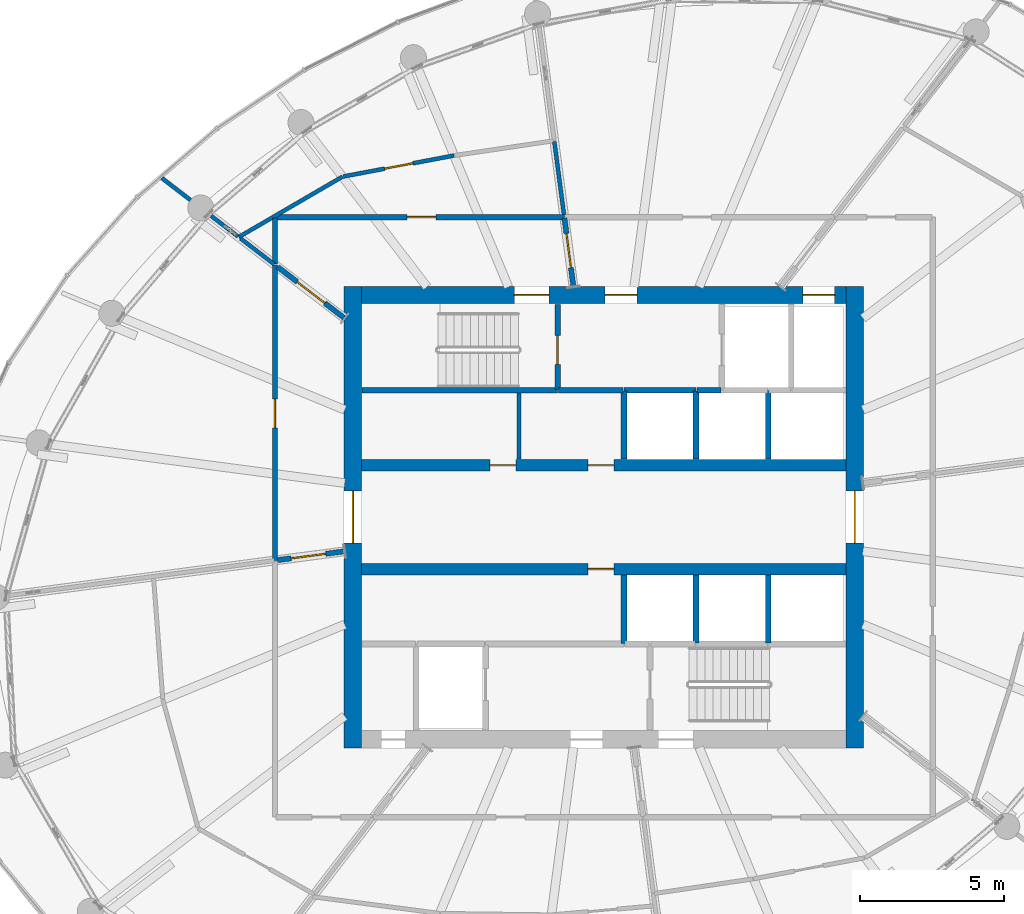
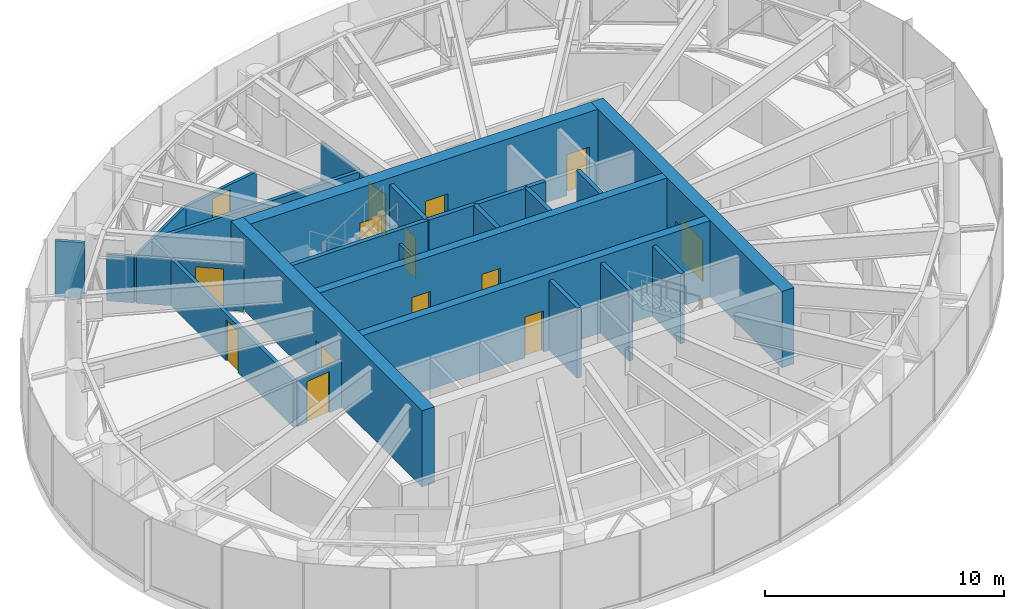
# One storey, part 17 of 26: 29 walls, 15 doors, 15 openings.
"""IFC4 building model written with IfcOpenShell, lengths in metres."""

import ifcopenshell
import ifcopenshell.guid

model = None  # the IFC model being written
_history = None  # IfcOwnerHistory: only IFC2X3 demands one
_inside = {}  # id of a spatial element -> (the spatial element, [elements in it])
_under = {}  # id of a project, library or spatial element -> (it, [spatial elements below it])
_declared = {}  # id of a project -> (the project, [libraries it declares])
_typed = {}  # id of a type object -> (the type object, [elements of that type])
_made_of = {}  # id of a material, layer set ... -> (it, [elements and type objects made of it])


def new_model(schema):
    """Start an empty IFC model of exactly this schema.

    Asked for "IFC4X3", IfcOpenShell would pick the latest addendum, in which some entities
    have other attributes; the version numbers below select the first issue.
    IFC2X3 requires an IfcOwnerHistory on every rooted entity: one is made here for all.
    """
    global model, _history
    if schema == "IFC4X3":
        model = ifcopenshell.file(schema_version=(4, 3, 0, 0))
    else:
        model = ifcopenshell.file(schema=schema)
    _inside.clear()
    _under.clear()
    _declared.clear()
    _typed.clear()
    _made_of.clear()
    _history = None
    if model.schema == "IFC2X3":
        org = make("IfcOrganization", Name="unknown")
        user = make(
            "IfcPersonAndOrganization",
            ThePerson=make("IfcPerson", FamilyName="unknown"),
            TheOrganization=org,
        )
        app = make(
            "IfcApplication",
            ApplicationDeveloper=org,
            Version="unknown",
            ApplicationFullName="unknown",
            ApplicationIdentifier="unknown",
        )
        _history = make(
            "IfcOwnerHistory",
            OwningUser=user,
            OwningApplication=app,
            ChangeAction="ADDED",
            CreationDate=0,
        )
    return model


def make(cls, **values):
    """One entity of the class cls with the attributes given. An attribute that is None is left unset."""
    return model.create_entity(
        cls, **{name: value for name, value in values.items() if value is not None}
    )


def rooted(cls, **values):
    """An entity with a GlobalId (a new one), such as an element, a storey or a relation."""
    return make(cls, GlobalId=ifcopenshell.guid.new(), OwnerHistory=_history, **values)


def si_unit(unit_type, name, prefix=None):
    """IfcSIUnit, for example si_unit("LENGTHUNIT", "METRE", prefix="MILLI")."""
    return make("IfcSIUnit", UnitType=unit_type, Prefix=prefix, Name=name)


def assignment(units):
    """IfcUnitAssignment: the units of a project."""
    return None if units is None else make("IfcUnitAssignment", Units=units)


def point(xyz):
    """IfcCartesianPoint."""
    return None if xyz is None else make("IfcCartesianPoint", Coordinates=xyz)


def direction(xyz):
    """IfcDirection."""
    return None if xyz is None else make("IfcDirection", DirectionRatios=xyz)


def frame(location, z_axis=None, x_axis=None):
    """IfcAxis2Placement3D, a coordinate frame: its origin and axes. An axis left out is left unset."""
    return make(
        "IfcAxis2Placement3D",
        Location=point(location),
        Axis=direction(z_axis),
        RefDirection=direction(x_axis),
    )


def frame_2d(location, x_axis=None):
    """IfcAxis2Placement2D, a coordinate frame in the plane: its origin and x axis."""
    return make(
        "IfcAxis2Placement2D", Location=point(location), RefDirection=direction(x_axis)
    )


def origin():
    """The frame at (0, 0, 0) with its axes left unset."""
    return frame((0.0, 0.0, 0.0))


def place(relative_to, where):
    """IfcLocalPlacement: puts the frame where relative to a parent placement (None: the world)."""
    return make(
        "IfcLocalPlacement", PlacementRelTo=relative_to, RelativePlacement=where
    )


def context(
    kind, dimensions, precision=None, world=None, true_north=None, identifier=None
):
    """IfcGeometricRepresentationContext, for example the 3D "Model" context."""
    return make(
        "IfcGeometricRepresentationContext",
        ContextIdentifier=identifier,
        ContextType=kind,
        CoordinateSpaceDimension=dimensions,
        Precision=precision,
        WorldCoordinateSystem=world,
        TrueNorth=true_north,
    )


def subcontext(parent, identifier, kind, view, scale=None):
    """IfcGeometricRepresentationSubContext, for example "Body" below "Model"."""
    return make(
        "IfcGeometricRepresentationSubContext",
        ContextIdentifier=identifier,
        ContextType=kind,
        ParentContext=parent,
        TargetScale=scale,
        TargetView=view,
    )


def project(units=None, contexts=None):
    """IfcProject with its units and contexts."""
    return rooted(
        "IfcProject",
        Name="project",
        RepresentationContexts=contexts,
        UnitsInContext=assignment(units),
    )


def spatial(cls, under=None, at=None, **own):
    """A site, building, storey or space (cls), placed at a placement, below another one or the project."""
    s = rooted(cls, ObjectPlacement=at, **own)
    if under is not None:
        _under.setdefault(under.id(), (under, []))[1].append(s)
    return s


def profile(cls, at=None, kind="AREA", **sizes):
    """A parametric profile (cls). Its sizes go by their IFC names, for example OverallWidth=200.0."""
    return make(cls, ProfileType=kind, Position=at, **sizes)


def rectangle(**sizes):
    """IfcRectangleProfileDef."""
    return profile("IfcRectangleProfileDef", **sizes)


def extrude(swept, where, along, depth):
    """IfcExtrudedAreaSolid: the profile swept, set in the frame where, extruded along a direction by depth."""
    return make(
        "IfcExtrudedAreaSolid",
        SweptArea=swept,
        Position=where,
        ExtrudedDirection=direction(along),
        Depth=depth,
    )


def shape(context_of_items, identifier, shape_type, items):
    """IfcShapeRepresentation: the items that make up one representation, for example the "Body"."""
    return make(
        "IfcShapeRepresentation",
        ContextOfItems=context_of_items,
        RepresentationIdentifier=identifier,
        RepresentationType=shape_type,
        Items=items,
    )


def source(mapping_origin, context_of_items, identifier, shape_type, items):
    """IfcRepresentationMap: a shape defined once, which mapped items show again and again."""
    return make(
        "IfcRepresentationMap",
        MappingOrigin=mapping_origin,
        MappedRepresentation=shape(context_of_items, identifier, shape_type, items),
    )


def transform(
    local_origin,
    x_axis=None,
    y_axis=None,
    z_axis=None,
    scale=None,
    scale2=None,
    scale3=None,
    uniform=True,
):
    """IfcCartesianTransformationOperator3D, or its non-uniform kind. x_axis, y_axis, z_axis: its Axis1, 2, 3."""
    if uniform:
        return make(
            "IfcCartesianTransformationOperator3D",
            Axis1=direction(x_axis),
            Axis2=direction(y_axis),
            LocalOrigin=point(local_origin),
            Scale=scale,
            Axis3=direction(z_axis),
        )
    return make(
        "IfcCartesianTransformationOperator3DnonUniform",
        Axis1=direction(x_axis),
        Axis2=direction(y_axis),
        LocalOrigin=point(local_origin),
        Scale=scale,
        Axis3=direction(z_axis),
        Scale2=scale2,
        Scale3=scale3,
    )


def mapped(mapping_source, mapping_target):
    """IfcMappedItem: shows the shape of a source again, moved by a transform."""
    return make(
        "IfcMappedItem", MappingSource=mapping_source, MappingTarget=mapping_target
    )


def material(Name=None, Category=None):
    """IfcMaterial."""
    return make("IfcMaterial", Name=Name, Category=Category)


def layer(
    of_material, thickness, ventilated=None, Name=None, Category=None, Priority=None
):
    """IfcMaterialLayer: one layer of a wall or slab, of a material (None: an air gap)."""
    return make(
        "IfcMaterialLayer",
        Material=of_material,
        LayerThickness=thickness,
        IsVentilated=ventilated,
        Name=Name,
        Category=Category,
        Priority=Priority,
    )


def layer_set(layers, Name=None):
    """IfcMaterialLayerSet."""
    return make("IfcMaterialLayerSet", MaterialLayers=layers, LayerSetName=Name)


def made_of(thing, what):
    """Note that an element or type object is made of a material, layer set ...; save() writes the relation."""
    if what is not None:
        _made_of.setdefault(what.id(), (what, []))[1].append(thing)
    return thing


def type_object(cls, material=None, **own):
    """A type object (cls), such as IfcWallType, which elements share."""
    return made_of(rooted(cls, **own), material)


def element(
    cls,
    number,
    at=None,
    inside=None,
    cuts=None,
    type_object=None,
    material=None,
    context=None,
    identifier="Body",
    shape_type=None,
    held_by="IfcProductDefinitionShape",
    body=None,
    shapes=None,
    **own,
):
    """One element of the class cls, such as IfcWall. Its Tag is "e" and its number.

    at: its placement. inside: the storey or other place that contains it. cuts: it is an
    opening in that element (IfcRelVoidsElement). A single representation is given by context,
    identifier, shape_type and body (its items); several are given by shapes. held_by: the class
    of the entity that holds the representations. save() writes the other relations.
    """
    e = rooted(cls, Tag="e%d" % number, ObjectPlacement=at, **own)
    if body is not None:
        shapes = [shape(context, identifier, shape_type, body)]
    if shapes is not None:
        e.Representation = make(held_by, Representations=shapes)
    if inside is not None:
        _inside.setdefault(inside.id(), (inside, []))[1].append(e)
    if cuts is not None:
        rooted(
            "IfcRelVoidsElement", RelatingBuildingElement=cuts, RelatedOpeningElement=e
        )
    if type_object is not None:
        _typed.setdefault(type_object.id(), (type_object, []))[1].append(e)
    return made_of(e, material)


def fill(opening, filler):
    """IfcRelFillsElement: the door or window that sits in an opening."""
    return rooted(
        "IfcRelFillsElement",
        RelatingOpeningElement=opening,
        RelatedBuildingElement=filler,
    )


def aggregate(whole, parts):
    """IfcRelAggregates: a whole, such as a stair, and the parts it consists of."""
    return rooted("IfcRelAggregates", RelatingObject=whole, RelatedObjects=parts)


def save(model, path):
    """Write the relations noted so far, then the file.

    IfcRelAggregates (storeys below a building ...), IfcRelContainedInSpatialStructure (elements
    in a storey), IfcRelDefinesByType, IfcRelAssociatesMaterial and IfcRelDeclares: one each for
    every whole, place, type object, material and project.
    """
    for whole, parts in _under.values():
        aggregate(whole, parts)
    for where, things in _inside.values():
        rooted(
            "IfcRelContainedInSpatialStructure",
            RelatedElements=things,
            RelatingStructure=where,
        )
    for kind, things in _typed.values():
        rooted("IfcRelDefinesByType", RelatedObjects=things, RelatingType=kind)
    for what, things in _made_of.values():
        rooted("IfcRelAssociatesMaterial", RelatedObjects=things, RelatingMaterial=what)
    for by, libraries in _declared.values():
        rooted("IfcRelDeclares", RelatingContext=by, RelatedDefinitions=libraries)
    model.write(path)


model = new_model("IFC4")

# Units and contexts
model_context = context("Model", 3, precision=1e-05, world=origin(), true_north=direction((0.0, 1.0)))
body_context = subcontext(model_context, "Body", "Model", "MODEL_VIEW")
ifc_project = project(units=[si_unit("LENGTHUNIT", "METRE"), si_unit("AREAUNIT", "SQUARE_METRE"), si_unit("VOLUMEUNIT", "CUBIC_METRE"), si_unit("PLANEANGLEUNIT", "RADIAN"), si_unit("MASSUNIT", "GRAM", prefix="KILO")], contexts=[model_context])

# Site, building, storey
site_placement = place(None, origin())
site = spatial("IfcSite", under=ifc_project, at=site_placement, CompositionType="ELEMENT")
building_placement = place(site_placement, origin())
building = spatial("IfcBuilding", under=site, at=building_placement, Name="Spindrift Exchange Tower", CompositionType="ELEMENT")
storey_placement = place(building_placement, frame((0.0, 0.0, 230.60009765625)))
storey = spatial("IfcBuildingStorey", under=building, at=storey_placement, Name="L56", CompositionType="ELEMENT", Elevation=230.60009765625)

# Wall, opening, door
ifc_material_1 = material(Name="Concrete 50 MPa", Category="concrete")
ifc_layer_1 = layer(ifc_material_1, 0.60009765625)
ifc_layer_set_1 = layer_set([ifc_layer_1], Name="RC Core Wall 600 Concrete 50 MPa")
wall_type_1 = type_object("IfcWallType", Name="RC Core Wall 600 Concrete 50 MPa", PredefinedType="SHEAR", material=ifc_layer_set_1)
wall_1_placement = place(storey_placement, frame((60.699951171875, 40.0, 0.0), z_axis=(0.0, 0.0, 1.0), x_axis=(0.0, 1.0, 0.0)))
wall_1 = element("IfcWall", 1, at=wall_1_placement, inside=storey, type_object=wall_type_1, Name="Core wall E L56", PredefinedType="SHEAR", context=body_context, shape_type="SweptSolid", body=[
    extrude(rectangle(XDim=16.0, YDim=0.60009765625, at=frame_2d((8.0, 0.0))), origin(), (0.0, 0.0, 1.0), 3.89990234375),
])
opening_1_placement = place(wall_1_placement, frame((7.10009765625, 0.0, 0.0)))
opening_1 = element("IfcOpeningElement", 2, at=opening_1_placement, cuts=wall_1, Name="Opening L56-D2", PredefinedType="OPENING", context=body_context, shape_type="SweptSolid", body=[
    extrude(rectangle(XDim=1.800048828125, YDim=2.10009765625, at=frame_2d((0.89990234375, 1.050048828125))), frame((0.0, 0.31005859375, 0.0), z_axis=(0.0, -1.0, 0.0), x_axis=(1.0, 0.0, 0.0)), (0.0, 0.0, 1.0), 0.6201171875),
])
ifc_material_2 = material(Name="Timber-core fire door", Category="wood")
door_type_1 = type_object("IfcDoorType", Name="DR-LOBBY-1800", OperationType="NOTDEFINED", PredefinedType="DOOR", material=ifc_material_2)
shared_shape_1 = source(origin(), body_context, "Body", "SweptSolid", [
    extrude(rectangle(XDim=1.800048828125, YDim=2.10009765625, at=frame_2d((0.89990234375, 1.050048828125))), frame((0.0, 0.02490234375, 0.0), z_axis=(0.0, -1.0, 0.0), x_axis=(1.0, 0.0, 0.0)), (0.0, 0.0, 1.0), 0.050048828125),
])
door_1_placement = place(opening_1_placement, origin())
door_1 = element("IfcDoor", 3, at=door_1_placement, inside=storey, type_object=door_type_1, Name="L56 Lobby door 2", OperationType="SINGLE_SWING_LEFT", OverallHeight=2.10009765625, OverallWidth=1.800048828125, PredefinedType="DOOR", context=body_context, shape_type="MappedRepresentation", body=[
    mapped(shared_shape_1, transform((0.0, 0.0, 0.0), scale=1.0)),
])
fill(opening_1, door_1)

wall_2_placement = place(storey_placement, frame((43.300048828125, 56.0, 0.0), z_axis=(0.0, 0.0, 1.0), x_axis=(0.0, -1.0, 0.0)))
wall_2 = element("IfcWall", 4, at=wall_2_placement, inside=storey, type_object=wall_type_1, Name="Core wall W L56", PredefinedType="SHEAR", context=body_context, shape_type="SweptSolid", body=[
    extrude(rectangle(XDim=16.0, YDim=0.60009765625, at=frame_2d((8.0, 0.0))), origin(), (0.0, 0.0, 1.0), 3.89990234375),
])
opening_2_placement = place(wall_2_placement, frame((7.10009765625, 0.0, 0.0)))
opening_2 = element("IfcOpeningElement", 5, at=opening_2_placement, cuts=wall_2, Name="Opening L56-D1", PredefinedType="OPENING", context=body_context, shape_type="SweptSolid", body=[
    extrude(rectangle(XDim=1.800048828125, YDim=2.10009765625, at=frame_2d((0.89990234375, 1.050048828125))), frame((0.0, 0.31005859375, 0.0), z_axis=(0.0, -1.0, 0.0), x_axis=(1.0, 0.0, 0.0)), (0.0, 0.0, 1.0), 0.6201171875),
])
door_2_placement = place(opening_2_placement, origin())
door_2 = element("IfcDoor", 6, at=door_2_placement, inside=storey, type_object=door_type_1, Name="L56 Lobby door 1", OperationType="SINGLE_SWING_RIGHT", OverallHeight=2.10009765625, OverallWidth=1.800048828125, PredefinedType="DOOR", context=body_context, shape_type="MappedRepresentation", body=[
    mapped(shared_shape_1, transform((0.0, 0.0, 0.0), scale=1.0)),
])
fill(opening_2, door_2)

# Wall, openings, doors
wall_3_placement = place(storey_placement, frame((60.39990234375, 55.699951171875, 0.0), z_axis=(0.0, 0.0, 1.0), x_axis=(-1.0, 0.0, 0.0)))
wall_3 = element("IfcWall", 7, at=wall_3_placement, inside=storey, type_object=wall_type_1, Name="Core wall N L56", PredefinedType="SHEAR", context=body_context, shape_type="SweptSolid", body=[
    extrude(rectangle(XDim=16.7998046875, YDim=0.60009765625, at=frame_2d((8.39990234375, 0.0))), origin(), (0.0, 0.0, 1.0), 3.89990234375),
])
opening_3_placement = place(wall_3_placement, frame((0.39990234375, 0.0, 0.0)))
opening_3 = element("IfcOpeningElement", 8, at=opening_3_placement, cuts=wall_3, Name="Opening L56-D5", PredefinedType="OPENING", context=body_context, shape_type="SweptSolid", body=[
    extrude(rectangle(XDim=1.10009765625, YDim=2.10009765625, at=frame_2d((0.550048828125, 1.050048828125))), frame((0.0, 0.31005859375, 0.0), z_axis=(0.0, -1.0, 0.0), x_axis=(1.0, 0.0, 0.0)), (0.0, 0.0, 1.0), 0.6201171875),
])
opening_4_placement = place(wall_3_placement, frame((10.300048828125, 0.0, 0.0)))
opening_4 = element("IfcOpeningElement", 9, at=opening_4_placement, cuts=wall_3, Name="Opening L56-D6", PredefinedType="OPENING", context=body_context, shape_type="SweptSolid", body=[
    extrude(rectangle(XDim=1.199951171875, YDim=2.10009765625, at=frame_2d((0.60009765625, 1.050048828125))), frame((0.0, 0.31005859375, 0.0), z_axis=(0.0, -1.0, 0.0), x_axis=(1.0, 0.0, 0.0)), (0.0, 0.0, 1.0), 0.6201171875),
])
opening_5_placement = place(wall_3_placement, frame((7.25, 0.0, 0.0)))
opening_5 = element("IfcOpeningElement", 10, at=opening_5_placement, cuts=wall_3, Name="Opening L56-D8", PredefinedType="OPENING", context=body_context, shape_type="SweptSolid", body=[
    extrude(rectangle(XDim=1.10009765625, YDim=2.10009765625, at=frame_2d((0.550048828125, 1.050048828125))), frame((0.0, 0.31005859375, 0.0), z_axis=(0.0, -1.0, 0.0), x_axis=(1.0, 0.0, 0.0)), (0.0, 0.0, 1.0), 0.6201171875),
])
ifc_material_3 = material(Name="Stainless steel landing door", Category="steel")
door_type_2 = type_object("IfcDoorType", Name="DR-LANDING-1100-SL", OperationType="DOUBLE_DOOR_SLIDING", PredefinedType="USERDEFINED", material=ifc_material_3)
shared_shape_2 = source(origin(), body_context, "Body", "SweptSolid", [
    extrude(rectangle(XDim=1.10009765625, YDim=2.10009765625, at=frame_2d((0.550048828125, 1.050048828125))), frame((0.0, 0.02490234375, 0.0), z_axis=(0.0, -1.0, 0.0), x_axis=(1.0, 0.0, 0.0)), (0.0, 0.0, 1.0), 0.050048828125),
])
door_3_placement = place(opening_3_placement, origin())
door_3 = element("IfcDoor", 11, at=door_3_placement, inside=storey, type_object=door_type_2, Name="L56 Lift landing door 5", ObjectType="LANDING DOOR", OperationType="DOUBLE_DOOR_SLIDING", OverallHeight=2.10009765625, OverallWidth=1.10009765625, PredefinedType="USERDEFINED", context=body_context, shape_type="MappedRepresentation", body=[
    mapped(shared_shape_2, transform((0.0, 0.0, 0.0), scale=1.0)),
])
fill(opening_3, door_3)
ifc_material_4 = material(Name="Steel fire door", Category="steel")
door_type_3 = type_object("IfcDoorType", Name="DR-STAIR-1200", OperationType="NOTDEFINED", PredefinedType="DOOR", material=ifc_material_4)
shared_shape_3 = source(origin(), body_context, "Body", "SweptSolid", [
    extrude(rectangle(XDim=1.199951171875, YDim=2.10009765625, at=frame_2d((0.60009765625, 1.050048828125))), frame((0.0, 0.02490234375, 0.0), z_axis=(0.0, -1.0, 0.0), x_axis=(1.0, 0.0, 0.0)), (0.0, 0.0, 1.0), 0.050048828125),
])
door_4_placement = place(opening_4_placement, origin())
door_4 = element("IfcDoor", 12, at=door_4_placement, inside=storey, type_object=door_type_3, Name="L56 Stair door 6", OperationType="SINGLE_SWING_RIGHT", OverallHeight=2.10009765625, OverallWidth=1.199951171875, PredefinedType="DOOR", context=body_context, shape_type="MappedRepresentation", body=[
    mapped(shared_shape_3, transform((0.0, 0.0, 0.0), scale=1.0)),
])
fill(opening_4, door_4)
door_type_4 = type_object("IfcDoorType", Name="DR-LOBBY-1100", OperationType="NOTDEFINED", PredefinedType="DOOR", material=ifc_material_2)
shared_shape_4 = source(origin(), body_context, "Body", "SweptSolid", [
    extrude(rectangle(XDim=1.10009765625, YDim=2.10009765625, at=frame_2d((0.550048828125, 1.050048828125))), frame((0.0, 0.02490234375, 0.0), z_axis=(0.0, -1.0, 0.0), x_axis=(1.0, 0.0, 0.0)), (0.0, 0.0, 1.0), 0.050048828125),
])
door_5_placement = place(opening_5_placement, origin())
door_5 = element("IfcDoor", 13, at=door_5_placement, inside=storey, type_object=door_type_4, Name="L56 Lobby door 8", OperationType="SINGLE_SWING_RIGHT", OverallHeight=2.10009765625, OverallWidth=1.10009765625, PredefinedType="DOOR", context=body_context, shape_type="MappedRepresentation", body=[
    mapped(shared_shape_4, transform((0.0, 0.0, 0.0), scale=1.0)),
])
fill(opening_5, door_5)

ifc_layer_2 = layer(ifc_material_1, 0.39990234375)
ifc_layer_set_2 = layer_set([ifc_layer_2], Name="RC Spine Wall 400 Concrete 50 MPa")
wall_type_2 = type_object("IfcWallType", Name="RC Spine Wall 400 Concrete 50 MPa", PredefinedType="SHEAR", material=ifc_layer_set_2)
wall_4_placement = place(storey_placement, frame((43.60009765625, 49.800048828125, 0.0), z_axis=(0.0, 0.0, 1.0), x_axis=(1.0, 0.0, 0.0)))
wall_4 = element("IfcWall", 14, at=wall_4_placement, inside=storey, type_object=wall_type_2, Name="Core spine wall N L56", PredefinedType="SHEAR", context=body_context, shape_type="SweptSolid", body=[
    extrude(rectangle(XDim=16.7998046875, YDim=0.39990234375, at=frame_2d((8.39990234375, 0.0))), origin(), (0.0, 0.0, 1.0), 3.89990234375),
])
opening_6_placement = place(wall_4_placement, frame((4.449951171875, 0.0, 0.0)))
opening_6 = element("IfcOpeningElement", 15, at=opening_6_placement, cuts=wall_4, Name="Opening L56-D35", PredefinedType="OPENING", context=body_context, shape_type="SweptSolid", body=[
    extrude(rectangle(XDim=0.89990234375, YDim=2.10009765625, at=frame_2d((0.449951171875, 1.050048828125))), frame((0.0, 0.2099609375, 0.0), z_axis=(0.0, -1.0, 0.0), x_axis=(1.0, 0.0, 0.0)), (0.0, 0.0, 1.0), 0.419921875),
])
opening_7_placement = place(wall_4_placement, frame((7.85009765625, 0.0, 0.0)))
opening_7 = element("IfcOpeningElement", 16, at=opening_7_placement, cuts=wall_4, Name="Opening L56-D36", PredefinedType="OPENING", context=body_context, shape_type="SweptSolid", body=[
    extrude(rectangle(XDim=0.89990234375, YDim=2.10009765625, at=frame_2d((0.449951171875, 1.050048828125))), frame((0.0, 0.2099609375, 0.0), z_axis=(0.0, -1.0, 0.0), x_axis=(1.0, 0.0, 0.0)), (0.0, 0.0, 1.0), 0.419921875),
])
ifc_material_5 = material(Name="Steel access door", Category="steel")
door_type_5 = type_object("IfcDoorType", Name="DR-RISER-900", OperationType="NOTDEFINED", PredefinedType="DOOR", material=ifc_material_5)
shared_shape_5 = source(origin(), body_context, "Body", "SweptSolid", [
    extrude(rectangle(XDim=0.89990234375, YDim=2.10009765625, at=frame_2d((0.449951171875, 1.050048828125))), frame((0.0, 0.02490234375, 0.0), z_axis=(0.0, -1.0, 0.0), x_axis=(1.0, 0.0, 0.0)), (0.0, 0.0, 1.0), 0.050048828125),
])
door_6_placement = place(opening_6_placement, origin())
door_6 = element("IfcDoor", 17, at=door_6_placement, inside=storey, type_object=door_type_5, Name="L56 Riser door 35", OperationType="SINGLE_SWING_LEFT", OverallHeight=2.10009765625, OverallWidth=0.89990234375, PredefinedType="DOOR", context=body_context, shape_type="MappedRepresentation", body=[
    mapped(shared_shape_5, transform((0.0, 0.0, 0.0), scale=1.0)),
])
fill(opening_6, door_6)
door_7_placement = place(opening_7_placement, origin())
door_7 = element("IfcDoor", 18, at=door_7_placement, inside=storey, type_object=door_type_5, Name="L56 Riser door 36", OperationType="SINGLE_SWING_RIGHT", OverallHeight=2.10009765625, OverallWidth=0.89990234375, PredefinedType="DOOR", context=body_context, shape_type="MappedRepresentation", body=[
    mapped(shared_shape_5, transform((0.0, 0.0, 0.0), scale=1.0)),
])
fill(opening_7, door_7)

# Wall, opening, door
wall_5_placement = place(storey_placement, frame((43.60009765625, 46.199951171875, 0.0), z_axis=(0.0, 0.0, 1.0), x_axis=(1.0, 0.0, 0.0)))
wall_5 = element("IfcWall", 19, at=wall_5_placement, inside=storey, type_object=wall_type_2, Name="Core spine wall S L56", PredefinedType="SHEAR", context=body_context, shape_type="SweptSolid", body=[
    extrude(rectangle(XDim=16.7998046875, YDim=0.39990234375, at=frame_2d((8.39990234375, 0.0))), origin(), (0.0, 0.0, 1.0), 3.89990234375),
])
opening_8_placement = place(wall_5_placement, frame((7.85009765625, 0.0, 0.0)))
opening_8 = element("IfcOpeningElement", 20, at=opening_8_placement, cuts=wall_5, Name="Opening L56-D37", PredefinedType="OPENING", context=body_context, shape_type="SweptSolid", body=[
    extrude(rectangle(XDim=0.89990234375, YDim=2.10009765625, at=frame_2d((0.449951171875, 1.050048828125))), frame((0.0, 0.2099609375, 0.0), z_axis=(0.0, -1.0, 0.0), x_axis=(1.0, 0.0, 0.0)), (0.0, 0.0, 1.0), 0.419921875),
])
door_8_placement = place(opening_8_placement, origin())
door_8 = element("IfcDoor", 21, at=door_8_placement, inside=storey, type_object=door_type_5, Name="L56 Riser door 37", OperationType="SINGLE_SWING_LEFT", OverallHeight=2.10009765625, OverallWidth=0.89990234375, PredefinedType="DOOR", context=body_context, shape_type="MappedRepresentation", body=[
    mapped(shared_shape_5, transform((0.0, 0.0, 0.0), scale=1.0)),
])
fill(opening_8, door_8)

ifc_material_6 = material(Name="Fire-rated plasterboard partition", Category="gypsum")
ifc_layer_3 = layer(ifc_material_6, 0.179931640625)
ifc_layer_set_3 = layer_set([ifc_layer_3], Name="W-CORR-180-SOFFIT")
wall_type_3 = type_object("IfcWallType", Name="W-CORR-180-SOFFIT", PredefinedType="PARTITIONING", material=ifc_layer_set_3)
wall_6_placement = place(storey_placement, frame((40.68994140625, 56.678466796875, 0.0), z_axis=(0.0, 0.0, 1.0), x_axis=(0.793371480341, -0.608737787706, 0.0)))
wall_6 = element("IfcWall", 22, at=wall_6_placement, inside=storey, type_object=wall_type_3, Name="L56 Partition wall 37", PredefinedType="PARTITIONING", context=body_context, shape_type="SweptSolid", body=[
    extrude(rectangle(XDim=2.91162109375, YDim=0.179931640625, at=frame_2d((1.455810546875, 0.0))), origin(), (0.0, 0.0, 1.0), 2.3798828125),
])
opening_9_placement = place(wall_6_placement, frame((0.86181640625, 0.0, 0.0)))
opening_9 = element("IfcOpeningElement", 23, at=opening_9_placement, cuts=wall_6, Name="Opening L56-D29", PredefinedType="OPENING", context=body_context, shape_type="SweptSolid", body=[
    extrude(rectangle(XDim=1.199951171875, YDim=2.10009765625, at=frame_2d((0.60009765625, 1.050048828125))), frame((0.0, 0.099853515625, 0.0), z_axis=(0.0, -1.0, 0.0), x_axis=(1.0, 0.0, 0.0)), (0.0, 0.0, 1.0), 0.199951171875),
])
door_type_6 = type_object("IfcDoorType", Name="DR-PLANT-1200", OperationType="NOTDEFINED", PredefinedType="DOOR", material=ifc_material_4)
shared_shape_6 = source(origin(), body_context, "Body", "SweptSolid", [
    extrude(rectangle(XDim=1.199951171875, YDim=2.10009765625, at=frame_2d((0.60009765625, 1.050048828125))), frame((0.0, 0.02490234375, 0.0), z_axis=(0.0, -1.0, 0.0), x_axis=(1.0, 0.0, 0.0)), (0.0, 0.0, 1.0), 0.050048828125),
])
door_9_placement = place(opening_9_placement, origin())
door_9 = element("IfcDoor", 24, at=door_9_placement, inside=storey, type_object=door_type_6, Name="L56 Plant room door 29", OperationType="SINGLE_SWING_LEFT", OverallHeight=2.10009765625, OverallWidth=1.199951171875, PredefinedType="DOOR", context=body_context, shape_type="MappedRepresentation", body=[
    mapped(shared_shape_6, transform((0.0, 0.0, 0.0), scale=1.0)),
])
fill(opening_9, door_9)

wall_7_placement = place(storey_placement, frame((40.68994140625, 46.510986328125, 0.0), z_axis=(0.0, 0.0, 1.0), x_axis=(0.991440737811, 0.130557509967, 0.0)))
wall_7 = element("IfcWall", 25, at=wall_7_placement, inside=storey, type_object=wall_type_3, Name="L56 Partition wall 41", PredefinedType="PARTITIONING", context=body_context, shape_type="SweptSolid", body=[
    extrude(rectangle(XDim=2.330078125, YDim=0.179931640625, at=frame_2d((1.1650390625, 0.0))), origin(), (0.0, 0.0, 1.0), 2.3798828125),
])
opening_10_placement = place(wall_7_placement, frame((0.47998046875, 0.0, 0.0)))
opening_10 = element("IfcOpeningElement", 26, at=opening_10_placement, cuts=wall_7, Name="Opening L56-D30", PredefinedType="OPENING", context=body_context, shape_type="SweptSolid", body=[
    extrude(rectangle(XDim=1.199951171875, YDim=2.10009765625, at=frame_2d((0.60009765625, 1.050048828125))), frame((0.0, 0.099853515625, 0.0), z_axis=(0.0, -1.0, 0.0), x_axis=(1.0, 0.0, 0.0)), (0.0, 0.0, 1.0), 0.199951171875),
])
door_10_placement = place(opening_10_placement, origin())
door_10 = element("IfcDoor", 27, at=door_10_placement, inside=storey, type_object=door_type_6, Name="L56 Plant room door 30", OperationType="SINGLE_SWING_RIGHT", OverallHeight=2.10009765625, OverallWidth=1.199951171875, PredefinedType="DOOR", context=body_context, shape_type="MappedRepresentation", body=[
    mapped(shared_shape_6, transform((0.0, 0.0, 0.0), scale=1.0)),
])
fill(opening_10, door_10)

wall_8_placement = place(storey_placement, frame((50.634765625, 58.370361328125, 0.0), z_axis=(0.0, 0.0, 1.0), x_axis=(0.130504701654, -0.991447690424, 0.0)))
wall_8 = element("IfcWall", 28, at=wall_8_placement, inside=storey, type_object=wall_type_3, Name="L56 Partition wall 43", PredefinedType="PARTITIONING", context=body_context, shape_type="SweptSolid", body=[
    extrude(rectangle(XDim=2.390869140625, YDim=0.179931640625, at=frame_2d((1.1953125, 0.0))), origin(), (0.0, 0.0, 1.0), 2.3798828125),
])
opening_11_placement = place(wall_8_placement, frame((0.540771484375, 0.0, 0.0)))
opening_11 = element("IfcOpeningElement", 29, at=opening_11_placement, cuts=wall_8, Name="Opening L56-D28", PredefinedType="OPENING", context=body_context, shape_type="SweptSolid", body=[
    extrude(rectangle(XDim=1.199951171875, YDim=2.10009765625, at=frame_2d((0.60009765625, 1.050048828125))), frame((0.0, 0.099853515625, 0.0), z_axis=(0.0, -1.0, 0.0), x_axis=(1.0, 0.0, 0.0)), (0.0, 0.0, 1.0), 0.199951171875),
])
door_11_placement = place(opening_11_placement, origin())
door_11 = element("IfcDoor", 30, at=door_11_placement, inside=storey, type_object=door_type_6, Name="L56 Plant room door 28", OperationType="SINGLE_SWING_RIGHT", OverallHeight=2.10009765625, OverallWidth=1.199951171875, PredefinedType="DOOR", context=body_context, shape_type="MappedRepresentation", body=[
    mapped(shared_shape_6, transform((0.0, 0.0, 0.0), scale=1.0)),
])
fill(opening_11, door_11)

# Walls
ifc_layer_4 = layer(ifc_material_6, 0.139892578125)
ifc_layer_set_4 = layer_set([ifc_layer_4], Name="W-PART-140")
wall_type_4 = type_object("IfcWallType", Name="W-PART-140", PredefinedType="PARTITIONING", material=ifc_layer_set_4)
wall_9_placement = place(storey_placement, frame((49.06005859375, 50.010009765625, 0.0), z_axis=(0.0, 0.0, 1.0), x_axis=(0.0, 1.0, 0.0)))
element("IfcWall", 31, at=wall_9_placement, inside=storey, type_object=wall_type_4, Name="L56 Partition wall 76", PredefinedType="PARTITIONING", context=body_context, shape_type="SweptSolid", body=[
    extrude(rectangle(XDim=2.2900390625, YDim=0.139892578125, at=frame_2d((1.14501953125, 0.0))), origin(), (0.0, 0.0, 1.0), 2.8798828125),
])
ifc_layer_5 = layer(ifc_material_6, 0.139892578125)
ifc_layer_set_5 = layer_set([ifc_layer_5], Name="W-PLANT-140")
wall_type_5 = type_object("IfcWallType", Name="W-PLANT-140", PredefinedType="PARTITIONING", material=ifc_layer_set_5)
wall_10_placement = place(storey_placement, frame((37.66845703125, 58.9970703125, 0.0), z_axis=(0.0, 0.0, 1.0), x_axis=(-0.793408114576, 0.608690039121, 0.0)))
element("IfcWall", 32, at=wall_10_placement, inside=storey, type_object=wall_type_5, Name="L56 Partition wall 81", PredefinedType="PARTITIONING", context=body_context, shape_type="SweptSolid", body=[
    extrude(rectangle(XDim=1.2490234375, YDim=0.139892578125, at=frame_2d((0.62451171875, 0.0))), origin(), (0.0, 0.0, 1.0), 2.8798828125),
])
ifc_layer_6 = layer(ifc_material_6, 0.139892578125)
ifc_layer_set_6 = layer_set([ifc_layer_6], Name="W-PLANT-140-SOFFIT")
wall_type_6 = type_object("IfcWallType", Name="W-PLANT-140-SOFFIT", PredefinedType="PARTITIONING", material=ifc_layer_set_6)
wall_11_placement = place(storey_placement, frame((42.94189453125, 59.804931640625, 0.0), z_axis=(0.0, 0.0, 1.0), x_axis=(-0.864208311026, -0.503134172118, 0.0)))
element("IfcWall", 33, at=wall_11_placement, inside=storey, type_object=wall_type_6, Name="L56 Partition wall 59", PredefinedType="PARTITIONING", context=body_context, shape_type="SweptSolid", body=[
    extrude(rectangle(XDim=4.162353515625, YDim=0.139892578125, at=frame_2d((2.0810546875, 0.0))), origin(), (0.0, 0.0, 1.0), 2.3798828125),
])

# Wall, opening, door
wall_12_placement = place(storey_placement, frame((42.97119140625, 59.810546875, 0.0), z_axis=(0.0, 0.0, 1.0), x_axis=(0.982553571564, 0.185979781176, 0.0)))
wall_12 = element("IfcWall", 34, at=wall_12_placement, inside=storey, type_object=wall_type_6, Name="L56 Partition wall 65", PredefinedType="PARTITIONING", context=body_context, shape_type="SweptSolid", body=[
    extrude(rectangle(XDim=3.904052734375, YDim=0.139892578125, at=frame_2d((1.9521484375, 0.0))), origin(), (0.0, 0.0, 1.0), 2.3798828125),
])
opening_12_placement = place(wall_12_placement, frame((1.4541015625, 0.0, 0.0)))
opening_12 = element("IfcOpeningElement", 35, at=opening_12_placement, cuts=wall_12, Name="Opening L56-D17", PredefinedType="OPENING", context=body_context, shape_type="SweptSolid", body=[
    extrude(rectangle(XDim=1.0, YDim=2.10009765625, at=frame_2d((0.5, 1.050048828125))), frame((0.0, 0.079833984375, 0.0), z_axis=(0.0, -1.0, 0.0), x_axis=(1.0, 0.0, 0.0)), (0.0, 0.0, 1.0), 0.159912109375),
])
door_type_7 = type_object("IfcDoorType", Name="DR-ROOM-1000", OperationType="NOTDEFINED", PredefinedType="DOOR", material=ifc_material_2)
shared_shape_7 = source(origin(), body_context, "Body", "SweptSolid", [
    extrude(rectangle(XDim=1.0, YDim=2.10009765625, at=frame_2d((0.5, 1.050048828125))), frame((0.0, 0.02490234375, 0.0), z_axis=(0.0, -1.0, 0.0), x_axis=(1.0, 0.0, 0.0)), (0.0, 0.0, 1.0), 0.050048828125),
])
door_12_placement = place(opening_12_placement, origin())
door_12 = element("IfcDoor", 36, at=door_12_placement, inside=storey, type_object=door_type_7, Name="L56 Door 17", OperationType="SINGLE_SWING_LEFT", OverallHeight=2.10009765625, OverallWidth=1.0, PredefinedType="DOOR", context=body_context, shape_type="MappedRepresentation", body=[
    mapped(shared_shape_7, transform((0.0, 0.0, 0.0), scale=1.0)),
])
fill(opening_12, door_12)

# Walls
wall_13_placement = place(storey_placement, frame((50.618896484375, 58.489990234375, 0.0), z_axis=(0.0, 0.0, 1.0), x_axis=(-0.130471833124, 0.991452016369, 0.0)))
element("IfcWall", 37, at=wall_13_placement, inside=storey, type_object=wall_type_6, Name="L56 Partition wall 75", PredefinedType="PARTITIONING", context=body_context, shape_type="SweptSolid", body=[
    extrude(rectangle(XDim=2.55224609375, YDim=0.139892578125, at=frame_2d((1.276123046875, 0.0))), origin(), (0.0, 0.0, 1.0), 2.3798828125),
])
wall_14_placement = place(storey_placement, frame((40.571044921875, 56.769775390625, 0.0), z_axis=(0.0, 0.0, 1.0), x_axis=(-0.793395131444, 0.608706961847, 0.0)))
element("IfcWall", 38, at=wall_14_placement, inside=storey, type_object=wall_type_6, Name="L56 Partition wall 80", PredefinedType="PARTITIONING", context=body_context, shape_type="SweptSolid", body=[
    extrude(rectangle(XDim=1.469970703125, YDim=0.139892578125, at=frame_2d((0.73486328125, 0.0))), origin(), (0.0, 0.0, 1.0), 2.3798828125),
])
wall_15_placement = place(storey_placement, frame((39.321044921875, 57.72900390625, 0.0), z_axis=(0.0, 0.0, 1.0), x_axis=(-0.793388739829, 0.608715292655, 0.0)))
element("IfcWall", 39, at=wall_15_placement, inside=storey, type_object=wall_type_6, Name="L56 Partition wall 84", PredefinedType="PARTITIONING", context=body_context, shape_type="SweptSolid", body=[
    extrude(rectangle(XDim=1.173828125, YDim=0.139892578125, at=frame_2d((0.5869140625, 0.0))), origin(), (0.0, 0.0, 1.0), 2.3798828125),
])

# Wall, opening, door
ifc_layer_7 = layer(ifc_material_6, 0.179931640625)
ifc_layer_set_7 = layer_set([ifc_layer_7], Name="W-PLANT-180-SOFFIT")
wall_type_7 = type_object("IfcWallType", Name="W-PLANT-180-SOFFIT", PredefinedType="PARTITIONING", material=ifc_layer_set_7)
wall_16_placement = place(storey_placement, frame((40.60009765625, 46.499267578125, 0.0), z_axis=(0.0, 0.0, 1.0), x_axis=(0.0, 1.0, 0.0)))
wall_16 = element("IfcWall", 40, at=wall_16_placement, inside=storey, type_object=wall_type_7, Name="L56 Partition wall 27", PredefinedType="PARTITIONING", context=body_context, shape_type="SweptSolid", body=[
    extrude(rectangle(XDim=10.248291015625, YDim=0.179931640625, at=frame_2d((5.1240234375, 0.0))), origin(), (0.0, 0.0, 1.0), 2.3798828125),
])
opening_13_placement = place(wall_16_placement, frame((4.598388671875, 0.0, 0.0)))
opening_13 = element("IfcOpeningElement", 41, at=opening_13_placement, cuts=wall_16, Name="Opening L56-D18", PredefinedType="OPENING", context=body_context, shape_type="SweptSolid", body=[
    extrude(rectangle(XDim=1.0, YDim=2.10009765625, at=frame_2d((0.5, 1.050048828125))), frame((0.0, 0.099853515625, 0.0), z_axis=(0.0, -1.0, 0.0), x_axis=(1.0, 0.0, 0.0)), (0.0, 0.0, 1.0), 0.199951171875),
])
door_13_placement = place(opening_13_placement, origin())
door_13 = element("IfcDoor", 42, at=door_13_placement, inside=storey, type_object=door_type_7, Name="L56 Door 18", OperationType="SINGLE_SWING_RIGHT", OverallHeight=2.10009765625, OverallWidth=1.0, PredefinedType="DOOR", context=body_context, shape_type="MappedRepresentation", body=[
    mapped(shared_shape_7, transform((0.0, 0.0, 0.0), scale=1.0)),
])
fill(opening_13, door_13)

wall_17_placement = place(storey_placement, frame((40.60009765625, 58.39990234375, 0.0), z_axis=(0.0, 0.0, 1.0), x_axis=(1.0, 0.0, 0.0)))
wall_17 = element("IfcWall", 43, at=wall_17_placement, inside=storey, type_object=wall_type_7, Name="L56 Partition wall 29", PredefinedType="PARTITIONING", context=body_context, shape_type="SweptSolid", body=[
    extrude(rectangle(XDim=10.03076171875, YDim=0.179931640625, at=frame_2d((5.015380859375, 0.0))), origin(), (0.0, 0.0, 1.0), 2.3798828125),
])
opening_14_placement = place(wall_17_placement, frame((4.580810546875, 0.0, 0.0)))
opening_14 = element("IfcOpeningElement", 44, at=opening_14_placement, cuts=wall_17, Name="Opening L56-D16", PredefinedType="OPENING", context=body_context, shape_type="SweptSolid", body=[
    extrude(rectangle(XDim=1.0, YDim=2.10009765625, at=frame_2d((0.5, 1.050048828125))), frame((0.0, 0.099853515625, 0.0), z_axis=(0.0, -1.0, 0.0), x_axis=(1.0, 0.0, 0.0)), (0.0, 0.0, 1.0), 0.199951171875),
])
door_14_placement = place(opening_14_placement, origin())
door_14 = element("IfcDoor", 45, at=door_14_placement, inside=storey, type_object=door_type_7, Name="L56 Door 16", OperationType="SINGLE_SWING_RIGHT", OverallHeight=2.10009765625, OverallWidth=1.0, PredefinedType="DOOR", context=body_context, shape_type="MappedRepresentation", body=[
    mapped(shared_shape_7, transform((0.0, 0.0, 0.0), scale=1.0)),
])
fill(opening_14, door_14)

# Walls
wall_18_placement = place(storey_placement, frame((40.60009765625, 58.3701171875, 0.0), z_axis=(0.0, 0.0, 1.0), x_axis=(0.0, -1.0, 0.0)))
element("IfcWall", 46, at=wall_18_placement, inside=storey, type_object=wall_type_7, Name="L56 Partition wall 45", PredefinedType="PARTITIONING", context=body_context, shape_type="SweptSolid", body=[
    extrude(rectangle(XDim=1.592529296875, YDim=0.179931640625, at=frame_2d((0.79638671875, 0.0))), origin(), (0.0, 0.0, 1.0), 2.3798828125),
])
ifc_material_7 = material(Name="Concrete 40 MPa", Category="concrete")
ifc_layer_8 = layer(ifc_material_7, 0.199951171875)
ifc_layer_set_8 = layer_set([ifc_layer_8], Name="W-SHAFT-200")
wall_type_8 = type_object("IfcWallType", Name="W-SHAFT-200", PredefinedType="SOLIDWALL", material=ifc_layer_set_8)
wall_19_placement = place(storey_placement, frame((55.199951171875, 52.39990234375, 0.0), z_axis=(0.0, 0.0, 1.0), x_axis=(-1.0, 0.0, 0.0)))
element("IfcWall", 47, at=wall_19_placement, inside=storey, type_object=wall_type_8, Name="L56 Shaft wall 10", PredefinedType="SOLIDWALL", context=body_context, shape_type="SweptSolid", body=[
    extrude(rectangle(XDim=2.5, YDim=0.199951171875, at=frame_2d((1.25, 0.0))), origin(), (0.0, 0.0, 1.0), 3.579833984375),
])
for number, where, z_axis, x_axis, name in (
    (48, (52.699951171875, 45.989990234375, 0.0), (0.0, 0.0, 1.0), (0.0, -1.0, 0.0), "L56 Shaft wall 13"),
    (49, (52.699951171875, 52.3701171875, 0.0), (0.0, 0.0, 1.0), (0.0, -1.0, 0.0), "L56 Shaft wall 14"),
    (50, (55.199951171875, 50.010009765625, 0.0), (0.0, 0.0, 1.0), (0.0, 1.0, 0.0), "L56 Shaft wall 16"),
):
    element("IfcWall", number, at=place(storey_placement, frame(where, z_axis=z_axis, x_axis=x_axis)), inside=storey, type_object=wall_type_8, Name=name, PredefinedType="SOLIDWALL", context=body_context, shape_type="SweptSolid", body=[
        extrude(rectangle(XDim=2.360107421875, YDim=0.199951171875, at=frame_2d((1.18017578125, 0.0))), origin(), (0.0, 0.0, 1.0), 3.579833984375),
    ])
wall_20_placement = place(storey_placement, frame((57.699951171875, 50.010009765625, 0.0), z_axis=(0.0, 0.0, 1.0), x_axis=(0.0, 1.0, 0.0)))
element("IfcWall", 51, at=wall_20_placement, inside=storey, type_object=wall_type_8, Name="L56 Shaft wall 18", PredefinedType="SOLIDWALL", context=body_context, shape_type="SweptSolid", body=[
    extrude(rectangle(XDim=2.389892578125, YDim=0.199951171875, at=frame_2d((1.19482421875, 0.0))), origin(), (0.0, 0.0, 1.0), 3.579833984375),
])
wall_21_placement = place(storey_placement, frame((56.070068359375, 52.39990234375, 0.0), z_axis=(0.0, 0.0, 1.0), x_axis=(-1.0, 0.0, 0.0)))
element("IfcWall", 52, at=wall_21_placement, inside=storey, type_object=wall_type_8, Name="L56 Shaft wall 25", PredefinedType="SOLIDWALL", context=body_context, shape_type="SweptSolid", body=[
    extrude(rectangle(XDim=0.840087890625, YDim=0.199951171875, at=frame_2d((0.419921875, 0.0))), origin(), (0.0, 0.0, 1.0), 3.579833984375),
])
ifc_layer_9 = layer(ifc_material_7, 0.199951171875)
ifc_layer_set_9 = layer_set([ifc_layer_9], Name="W-SHAFT-200-LB")
wall_type_9 = type_object("IfcWallType", Name="W-SHAFT-200-LB", PredefinedType="SOLIDWALL", material=ifc_layer_set_9)
wall_22_placement = place(storey_placement, frame((43.6201171875, 52.39990234375, 0.0), z_axis=(0.0, 0.0, 1.0), x_axis=(1.0, 0.0, 0.0)))
element("IfcWall", 53, at=wall_22_placement, inside=storey, type_object=wall_type_9, Name="L56 Shaft wall 1", PredefinedType="SOLIDWALL", context=body_context, shape_type="SweptSolid", body=[
    extrude(rectangle(XDim=6.77978515625, YDim=0.199951171875, at=frame_2d((3.389892578125, 0.0))), origin(), (0.0, 0.0, 1.0), 3.579833984375),
])

# Wall, opening, door
wall_23_placement = place(storey_placement, frame((50.39990234375, 52.429931640625, 0.0), z_axis=(0.0, 0.0, 1.0), x_axis=(0.0, 1.0, 0.0)))
wall_23 = element("IfcWall", 54, at=wall_23_placement, inside=storey, type_object=wall_type_9, Name="L56 Shaft wall 5", PredefinedType="SOLIDWALL", context=body_context, shape_type="SweptSolid", body=[
    extrude(rectangle(XDim=2.949951171875, YDim=0.199951171875, at=frame_2d((1.47509765625, 0.0))), origin(), (0.0, 0.0, 1.0), 3.579833984375),
])
opening_15_placement = place(wall_23_placement, frame((0.8701171875, 0.0, 0.0)))
opening_15 = element("IfcOpeningElement", 55, at=opening_15_placement, cuts=wall_23, Name="Opening L56-D7", PredefinedType="OPENING", context=body_context, shape_type="SweptSolid", body=[
    extrude(rectangle(XDim=1.0, YDim=2.10009765625, at=frame_2d((0.5, 1.050048828125))), frame((0.0, 0.10986328125, 0.0), z_axis=(0.0, -1.0, 0.0), x_axis=(1.0, 0.0, 0.0)), (0.0, 0.0, 1.0), 0.219970703125),
])
door_type_8 = type_object("IfcDoorType", Name="DR-STAIR-1000", OperationType="NOTDEFINED", PredefinedType="DOOR", material=ifc_material_4)
shared_shape_8 = source(origin(), body_context, "Body", "SweptSolid", [
    extrude(rectangle(XDim=1.0, YDim=2.10009765625, at=frame_2d((0.5, 1.050048828125))), frame((0.0, 0.02490234375, 0.0), z_axis=(0.0, -1.0, 0.0), x_axis=(1.0, 0.0, 0.0)), (0.0, 0.0, 1.0), 0.050048828125),
])
door_15_placement = place(opening_15_placement, origin())
door_15 = element("IfcDoor", 56, at=door_15_placement, inside=storey, type_object=door_type_8, Name="L56 Stair door 7", OperationType="SINGLE_SWING_LEFT", OverallHeight=2.10009765625, OverallWidth=1.0, PredefinedType="DOOR", context=body_context, shape_type="MappedRepresentation", body=[
    mapped(shared_shape_8, transform((0.0, 0.0, 0.0), scale=1.0)),
])
fill(opening_15, door_15)

# Walls
for number, where, z_axis, x_axis, name in (
    (57, (55.199951171875, 43.6298828125, 0.0), (0.0, 0.0, 1.0), (0.0, 1.0, 0.0), "L56 Shaft wall 15"),
    (58, (57.699951171875, 43.6298828125, 0.0), (0.0, 0.0, 1.0), (0.0, 1.0, 0.0), "L56 Shaft wall 17"),
):
    element("IfcWall", number, at=place(storey_placement, frame(where, z_axis=z_axis, x_axis=x_axis)), inside=storey, type_object=wall_type_9, Name=name, PredefinedType="SOLIDWALL", context=body_context, shape_type="SweptSolid", body=[
        extrude(rectangle(XDim=2.360107421875, YDim=0.199951171875, at=frame_2d((1.18017578125, 0.0))), origin(), (0.0, 0.0, 1.0), 3.579833984375),
    ])
wall_24_placement = place(storey_placement, frame((50.429931640625, 52.39990234375, 0.0), z_axis=(0.0, 0.0, 1.0), x_axis=(1.0, 0.0, 0.0)))
element("IfcWall", 59, at=wall_24_placement, inside=storey, type_object=wall_type_9, Name="L56 Shaft wall 19", PredefinedType="SOLIDWALL", context=body_context, shape_type="SweptSolid", body=[
    extrude(rectangle(XDim=2.239990234375, YDim=0.199951171875, at=frame_2d((1.1201171875, 0.0))), origin(), (0.0, 0.0, 1.0), 3.579833984375),
])

save(model, "model.ifc")
